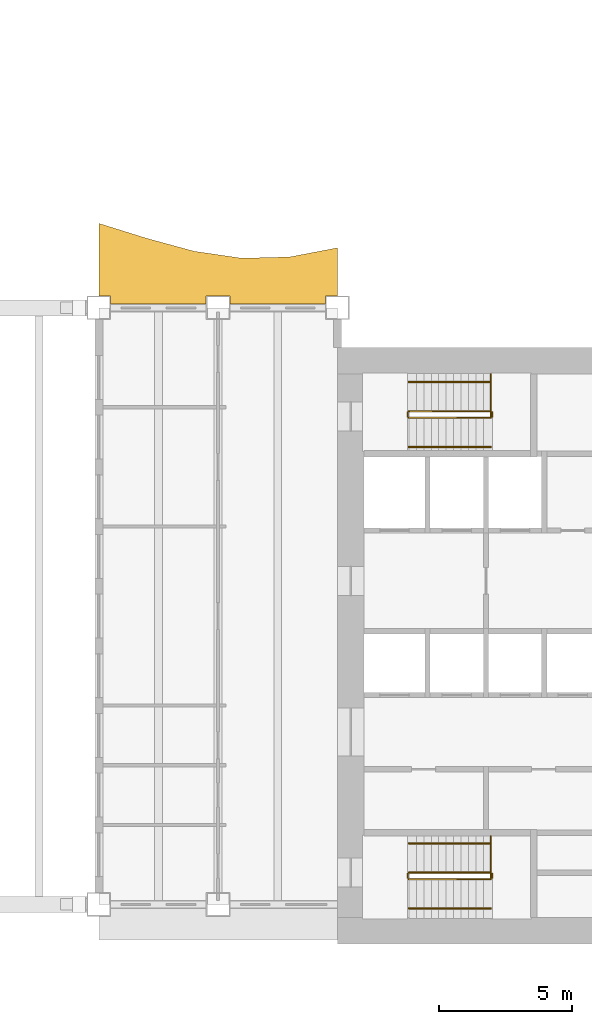
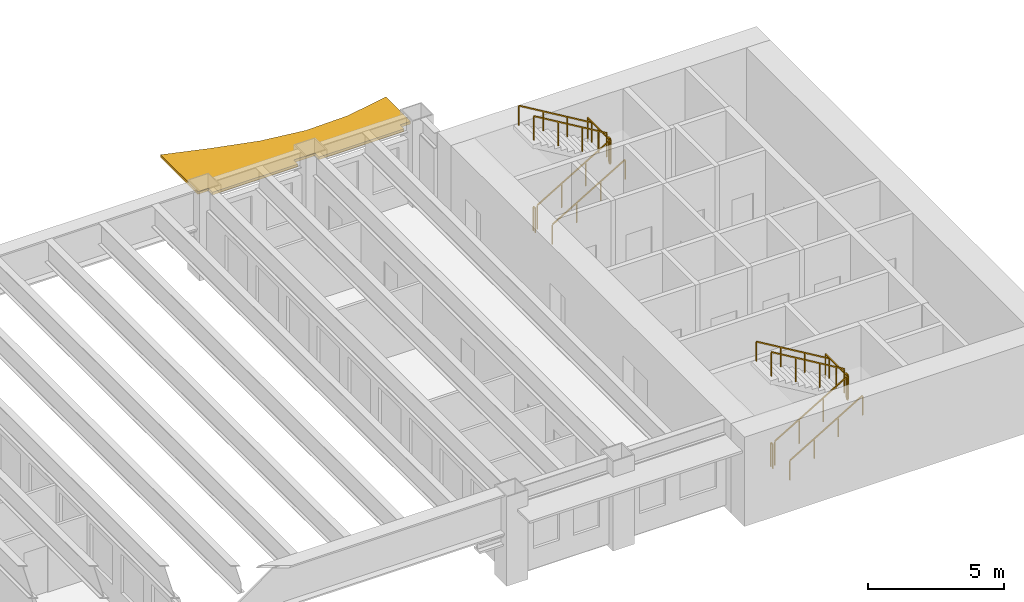
# One storey, part 12 of 13: 14 railings, 1 shading device.
"""IFC4 building model written with IfcOpenShell, lengths in metres."""

from ifc_helpers import new_model, si_unit, direction, frame, origin, origin_2d, place, context, subcontext, project, spatial, polyline, rectangle, outline, extrude, material, layer, layer_set, type_object, element, save


model = new_model("IFC4")

# Units and contexts
model_context = context("Model", 3, precision=1e-05, world=origin(), true_north=direction((0.0, 1.0)))
body_context = subcontext(model_context, "Body", "Model", "MODEL_VIEW")
ifc_project = project(units=[si_unit("LENGTHUNIT", "METRE"), si_unit("AREAUNIT", "SQUARE_METRE"), si_unit("VOLUMEUNIT", "CUBIC_METRE"), si_unit("PLANEANGLEUNIT", "RADIAN"), si_unit("MASSUNIT", "GRAM", prefix="KILO")], contexts=[model_context])

# Site, building, storey
site_placement = place(None, origin())
site = spatial("IfcSite", under=ifc_project, at=site_placement, CompositionType="ELEMENT")
building_placement = place(site_placement, origin())
building = spatial("IfcBuilding", under=site, at=building_placement, Name="Sennacour Bend Tower", CompositionType="ELEMENT")
storey_placement = place(building_placement, frame((0.0, 0.0, 147.0)))
storey = spatial("IfcBuildingStorey", under=building, at=storey_placement, Name="L33", CompositionType="ELEMENT", Elevation=147.0)

# Railings
ifc_material_1 = material(Name="Stainless steel", Category="steel")
railing_type_1 = type_object("IfcRailingType", Name="RL-GUARD-1100", PredefinedType="GUARDRAIL", material=ifc_material_1)
railing_1_placement = place(storey_placement, frame((56.699951171875, 2.449951171875, 0.166748046875)))
element("IfcRailing", 1, at=railing_1_placement, inside=storey, type_object=railing_type_1, Name="L33 SA1 stair guard 1", PredefinedType="GUARDRAIL", context=body_context, shape_type="SweptSolid", body=[
    extrude(rectangle(XDim=0.048095703125, YDim=0.048095703125, at=origin_2d()), frame((0.0, 0.0, 1.076171875), z_axis=(0.859308565015, 0.0, 0.511457515432), x_axis=(0.0, 1.0, 0.0)), (0.0, 0.0, 1.0), 3.58447265625),
    extrude(rectangle(XDim=0.0419921875, YDim=0.0419921875, at=origin_2d()), origin(), (0.0, 0.0, 1.0), 1.052001953125),
    extrude(rectangle(XDim=0.0419921875, YDim=0.0419921875, at=origin_2d()), frame((1.026611328125, 0.0, 0.611083984375)), (0.0, 0.0, 1.0), 1.052001953125),
    extrude(rectangle(XDim=0.0419921875, YDim=0.0419921875, at=origin_2d()), frame((2.053466796875, 0.0, 1.22216796875)), (0.0, 0.0, 1.0), 1.052001953125),
    extrude(rectangle(XDim=0.0419921875, YDim=0.0419921875, at=origin_2d()), frame((3.080078125, 0.0, 1.833251953125)), (0.0, 0.0, 1.0), 1.052001953125),
])
railing_2_placement = place(storey_placement, frame((59.830078125, 2.5, 2.0)))
element("IfcRailing", 2, at=railing_2_placement, inside=storey, type_object=railing_type_1, Name="L33 SA1 stair guard 2", PredefinedType="GUARDRAIL", context=body_context, shape_type="SweptSolid", body=[
    extrude(rectangle(XDim=0.048095703125, YDim=0.048095703125, at=origin_2d()), frame((0.0, 0.0, 1.076171875), z_axis=(0.0, 1.0, 0.0), x_axis=(-1.0, 0.0, 0.0)), (0.0, 0.0, 1.0), 0.14990234375),
    extrude(rectangle(XDim=0.0419921875, YDim=0.0419921875, at=origin_2d()), origin(), (0.0, 0.0, 1.0), 1.052001953125),
    extrude(rectangle(XDim=0.0419921875, YDim=0.0419921875, at=origin_2d()), frame((0.0, 0.14990234375, 0.0)), (0.0, 0.0, 1.0), 1.052001953125),
])
railing_3_placement = place(storey_placement, frame((59.780029296875, 2.699951171875, 2.166748046875)))
element("IfcRailing", 3, at=railing_3_placement, inside=storey, type_object=railing_type_1, Name="L33 SA1 stair guard 4", PredefinedType="GUARDRAIL", context=body_context, shape_type="SweptSolid", body=[
    extrude(rectangle(XDim=0.048095703125, YDim=0.048095703125, at=origin_2d()), frame((0.0, 0.0, 1.076171875), z_axis=(-0.859308565015, 0.0, 0.511457515432), x_axis=(0.0, -1.0, 0.0)), (0.0, 0.0, 1.0), 3.58447265625),
    extrude(rectangle(XDim=0.0419921875, YDim=0.0419921875, at=origin_2d()), origin(), (0.0, 0.0, 1.0), 1.052001953125),
    extrude(rectangle(XDim=0.0419921875, YDim=0.0419921875, at=origin_2d()), frame((-1.026611328125, 0.0, 0.611083984375)), (0.0, 0.0, 1.0), 1.052001953125),
    extrude(rectangle(XDim=0.0419921875, YDim=0.0419921875, at=origin_2d()), frame((-2.053466796875, 0.0, 1.22216796875)), (0.0, 0.0, 1.0), 1.052001953125),
    extrude(rectangle(XDim=0.0419921875, YDim=0.0419921875, at=origin_2d()), frame((-3.080078125, 0.0, 1.833251953125)), (0.0, 0.0, 1.0), 1.052001953125),
])
railing_4_placement = place(storey_placement, frame((56.64990234375, 2.5, 0.0)))
element("IfcRailing", 4, at=railing_4_placement, inside=storey, type_object=railing_type_1, Name="L33 SA1 stair guard 5", PredefinedType="GUARDRAIL", context=body_context, shape_type="SweptSolid", body=[
    extrude(rectangle(XDim=0.048095703125, YDim=0.048095703125, at=origin_2d()), frame((0.0, 0.0, 1.076171875), z_axis=(0.0, 1.0, 0.0), x_axis=(-1.0, 0.0, 0.0)), (0.0, 0.0, 1.0), 0.14990234375),
    extrude(rectangle(XDim=0.0419921875, YDim=0.0419921875, at=origin_2d()), origin(), (0.0, 0.0, 1.0), 1.052001953125),
    extrude(rectangle(XDim=0.0419921875, YDim=0.0419921875, at=origin_2d()), frame((0.0, 0.14990234375, 0.0)), (0.0, 0.0, 1.0), 1.052001953125),
])
railing_5_placement = place(storey_placement, frame((59.780029296875, 2.5, 2.0)))
element("IfcRailing", 5, at=railing_5_placement, inside=storey, type_object=railing_type_1, Name="L33 SA1 landing edge guard 53", PredefinedType="GUARDRAIL", context=body_context, shape_type="SweptSolid", body=[
    extrude(rectangle(XDim=0.048095703125, YDim=0.048095703125, at=origin_2d()), frame((0.0, 0.0, 1.076171875), z_axis=(0.0, 1.0, 0.0), x_axis=(-1.0, 0.0, 0.0)), (0.0, 0.0, 1.0), 1.574951171875),
    extrude(rectangle(XDim=0.0419921875, YDim=0.0419921875, at=origin_2d()), origin(), (0.0, 0.0, 1.0), 1.052001953125),
    extrude(rectangle(XDim=0.0419921875, YDim=0.0419921875, at=origin_2d()), frame((0.0, 0.78759765625, 0.0)), (0.0, 0.0, 1.0), 1.052001953125),
    extrude(rectangle(XDim=0.0419921875, YDim=0.0419921875, at=origin_2d()), frame((0.0, 1.574951171875, 0.0)), (0.0, 0.0, 1.0), 1.052001953125),
])
railing_6_placement = place(storey_placement, frame((56.699951171875, 19.85009765625, 0.166748046875)))
element("IfcRailing", 6, at=railing_6_placement, inside=storey, type_object=railing_type_1, Name="L33 SA2 stair guard 1", PredefinedType="GUARDRAIL", context=body_context, shape_type="SweptSolid", body=[
    extrude(rectangle(XDim=0.048095703125, YDim=0.048095703125, at=origin_2d()), frame((0.0, 0.0, 1.076171875), z_axis=(0.859308565015, 0.0, 0.511457515432), x_axis=(0.0, 1.0, 0.0)), (0.0, 0.0, 1.0), 3.58447265625),
    extrude(rectangle(XDim=0.0419921875, YDim=0.0419921875, at=origin_2d()), origin(), (0.0, 0.0, 1.0), 1.052001953125),
    extrude(rectangle(XDim=0.0419921875, YDim=0.0419921875, at=origin_2d()), frame((1.026611328125, 0.0, 0.611083984375)), (0.0, 0.0, 1.0), 1.052001953125),
    extrude(rectangle(XDim=0.0419921875, YDim=0.0419921875, at=origin_2d()), frame((2.053466796875, 0.0, 1.22216796875)), (0.0, 0.0, 1.0), 1.052001953125),
    extrude(rectangle(XDim=0.0419921875, YDim=0.0419921875, at=origin_2d()), frame((3.080078125, 0.0, 1.833251953125)), (0.0, 0.0, 1.0), 1.052001953125),
])
railing_7_placement = place(storey_placement, frame((59.830078125, 19.89990234375, 2.0)))
element("IfcRailing", 7, at=railing_7_placement, inside=storey, type_object=railing_type_1, Name="L33 SA2 stair guard 2", PredefinedType="GUARDRAIL", context=body_context, shape_type="SweptSolid", body=[
    extrude(rectangle(XDim=0.048095703125, YDim=0.048095703125, at=origin_2d()), frame((0.0, 0.0, 1.076171875), z_axis=(0.0, 1.0, 0.0), x_axis=(-1.0, 0.0, 0.0)), (0.0, 0.0, 1.0), 0.150146484375),
    extrude(rectangle(XDim=0.0419921875, YDim=0.0419921875, at=origin_2d()), origin(), (0.0, 0.0, 1.0), 1.052001953125),
    extrude(rectangle(XDim=0.0419921875, YDim=0.0419921875, at=origin_2d()), frame((0.0, 0.150146484375, 0.0)), (0.0, 0.0, 1.0), 1.052001953125),
])
railing_8_placement = place(storey_placement, frame((59.780029296875, 20.10009765625, 2.166748046875)))
element("IfcRailing", 8, at=railing_8_placement, inside=storey, type_object=railing_type_1, Name="L33 SA2 stair guard 4", PredefinedType="GUARDRAIL", context=body_context, shape_type="SweptSolid", body=[
    extrude(rectangle(XDim=0.048095703125, YDim=0.048095703125, at=origin_2d()), frame((0.0, 0.0, 1.076171875), z_axis=(-0.859308565015, 0.0, 0.511457515432), x_axis=(0.0, -1.0, 0.0)), (0.0, 0.0, 1.0), 3.58447265625),
    extrude(rectangle(XDim=0.0419921875, YDim=0.0419921875, at=origin_2d()), origin(), (0.0, 0.0, 1.0), 1.052001953125),
    extrude(rectangle(XDim=0.0419921875, YDim=0.0419921875, at=origin_2d()), frame((-1.026611328125, 0.0, 0.611083984375)), (0.0, 0.0, 1.0), 1.052001953125),
    extrude(rectangle(XDim=0.0419921875, YDim=0.0419921875, at=origin_2d()), frame((-2.053466796875, 0.0, 1.22216796875)), (0.0, 0.0, 1.0), 1.052001953125),
    extrude(rectangle(XDim=0.0419921875, YDim=0.0419921875, at=origin_2d()), frame((-3.080078125, 0.0, 1.833251953125)), (0.0, 0.0, 1.0), 1.052001953125),
])
railing_9_placement = place(storey_placement, frame((56.64990234375, 19.89990234375, 0.0)))
element("IfcRailing", 9, at=railing_9_placement, inside=storey, type_object=railing_type_1, Name="L33 SA2 stair guard 5", PredefinedType="GUARDRAIL", context=body_context, shape_type="SweptSolid", body=[
    extrude(rectangle(XDim=0.048095703125, YDim=0.048095703125, at=origin_2d()), frame((0.0, 0.0, 1.076171875), z_axis=(0.0, 1.0, 0.0), x_axis=(-1.0, 0.0, 0.0)), (0.0, 0.0, 1.0), 0.150146484375),
    extrude(rectangle(XDim=0.0419921875, YDim=0.0419921875, at=origin_2d()), origin(), (0.0, 0.0, 1.0), 1.052001953125),
    extrude(rectangle(XDim=0.0419921875, YDim=0.0419921875, at=origin_2d()), frame((0.0, 0.150146484375, 0.0)), (0.0, 0.0, 1.0), 1.052001953125),
])
railing_10_placement = place(storey_placement, frame((59.780029296875, 19.89990234375, 2.0)))
element("IfcRailing", 10, at=railing_10_placement, inside=storey, type_object=railing_type_1, Name="L33 SA2 landing edge guard 48", PredefinedType="GUARDRAIL", context=body_context, shape_type="SweptSolid", body=[
    extrude(rectangle(XDim=0.048095703125, YDim=0.048095703125, at=origin_2d()), frame((0.0, 0.0, 1.076171875), z_axis=(0.0, 1.0, 0.0), x_axis=(-1.0, 0.0, 0.0)), (0.0, 0.0, 1.0), 1.60009765625),
    extrude(rectangle(XDim=0.0419921875, YDim=0.0419921875, at=origin_2d()), origin(), (0.0, 0.0, 1.0), 1.052001953125),
    extrude(rectangle(XDim=0.0419921875, YDim=0.0419921875, at=origin_2d()), frame((0.0, 0.800048828125, 0.0)), (0.0, 0.0, 1.0), 1.052001953125),
    extrude(rectangle(XDim=0.0419921875, YDim=0.0419921875, at=origin_2d()), frame((0.0, 1.60009765625, 0.0)), (0.0, 0.0, 1.0), 1.052001953125),
])
railing_type_2 = type_object("IfcRailingType", Name="RL-HANDRAIL-900", PredefinedType="HANDRAIL", material=ifc_material_1)
railing_11_placement = place(storey_placement, frame((56.699951171875, 1.35009765625, 0.166748046875)))
element("IfcRailing", 11, at=railing_11_placement, inside=storey, type_object=railing_type_2, Name="L33 SA1 stair handrail 1", PredefinedType="HANDRAIL", context=body_context, shape_type="SweptSolid", body=[
    extrude(rectangle(XDim=0.048095703125, YDim=0.048095703125, at=origin_2d()), frame((0.0, 0.0, 0.8759765625), z_axis=(0.859308565015, 0.0, 0.511457515432), x_axis=(0.0, 1.0, 0.0)), (0.0, 0.0, 1.0), 3.58447265625),
    extrude(rectangle(XDim=0.0419921875, YDim=0.0419921875, at=origin_2d()), origin(), (0.0, 0.0, 1.0), 0.851806640625),
    extrude(rectangle(XDim=0.0419921875, YDim=0.0419921875, at=origin_2d()), frame((1.026611328125, 0.0, 0.611083984375)), (0.0, 0.0, 1.0), 0.851806640625),
    extrude(rectangle(XDim=0.0419921875, YDim=0.0419921875, at=origin_2d()), frame((2.053466796875, 0.0, 1.22216796875)), (0.0, 0.0, 1.0), 0.851806640625),
    extrude(rectangle(XDim=0.0419921875, YDim=0.0419921875, at=origin_2d()), frame((3.080078125, 0.0, 1.833251953125)), (0.0, 0.0, 1.0), 0.851806640625),
])
railing_12_placement = place(storey_placement, frame((59.780029296875, 3.800048828125, 2.166748046875)))
element("IfcRailing", 12, at=railing_12_placement, inside=storey, type_object=railing_type_2, Name="L33 SA1 stair handrail 2", PredefinedType="HANDRAIL", context=body_context, shape_type="SweptSolid", body=[
    extrude(rectangle(XDim=0.048095703125, YDim=0.048095703125, at=origin_2d()), frame((0.0, 0.0, 0.8759765625), z_axis=(-0.859308565015, 0.0, 0.511457515432), x_axis=(0.0, -1.0, 0.0)), (0.0, 0.0, 1.0), 3.58447265625),
    extrude(rectangle(XDim=0.0419921875, YDim=0.0419921875, at=origin_2d()), origin(), (0.0, 0.0, 1.0), 0.851806640625),
    extrude(rectangle(XDim=0.0419921875, YDim=0.0419921875, at=origin_2d()), frame((-1.026611328125, 0.0, 0.611083984375)), (0.0, 0.0, 1.0), 0.851806640625),
    extrude(rectangle(XDim=0.0419921875, YDim=0.0419921875, at=origin_2d()), frame((-2.053466796875, 0.0, 1.22216796875)), (0.0, 0.0, 1.0), 0.851806640625),
    extrude(rectangle(XDim=0.0419921875, YDim=0.0419921875, at=origin_2d()), frame((-3.080078125, 0.0, 1.833251953125)), (0.0, 0.0, 1.0), 0.851806640625),
])
railing_13_placement = place(storey_placement, frame((56.699951171875, 18.75, 0.166748046875)))
element("IfcRailing", 13, at=railing_13_placement, inside=storey, type_object=railing_type_2, Name="L33 SA2 stair handrail 1", PredefinedType="HANDRAIL", context=body_context, shape_type="SweptSolid", body=[
    extrude(rectangle(XDim=0.048095703125, YDim=0.048095703125, at=origin_2d()), frame((0.0, 0.0, 0.8759765625), z_axis=(0.859308565015, 0.0, 0.511457515432), x_axis=(0.0, 1.0, 0.0)), (0.0, 0.0, 1.0), 3.58447265625),
    extrude(rectangle(XDim=0.0419921875, YDim=0.0419921875, at=origin_2d()), origin(), (0.0, 0.0, 1.0), 0.851806640625),
    extrude(rectangle(XDim=0.0419921875, YDim=0.0419921875, at=origin_2d()), frame((1.026611328125, 0.0, 0.611083984375)), (0.0, 0.0, 1.0), 0.851806640625),
    extrude(rectangle(XDim=0.0419921875, YDim=0.0419921875, at=origin_2d()), frame((2.053466796875, 0.0, 1.22216796875)), (0.0, 0.0, 1.0), 0.851806640625),
    extrude(rectangle(XDim=0.0419921875, YDim=0.0419921875, at=origin_2d()), frame((3.080078125, 0.0, 1.833251953125)), (0.0, 0.0, 1.0), 0.851806640625),
])
railing_14_placement = place(storey_placement, frame((59.780029296875, 21.199951171875, 2.166748046875)))
element("IfcRailing", 14, at=railing_14_placement, inside=storey, type_object=railing_type_2, Name="L33 SA2 stair handrail 2", PredefinedType="HANDRAIL", context=body_context, shape_type="SweptSolid", body=[
    extrude(rectangle(XDim=0.048095703125, YDim=0.048095703125, at=origin_2d()), frame((0.0, 0.0, 0.8759765625), z_axis=(-0.859308565015, 0.0, 0.511457515432), x_axis=(0.0, -1.0, 0.0)), (0.0, 0.0, 1.0), 3.58447265625),
    extrude(rectangle(XDim=0.0419921875, YDim=0.0419921875, at=origin_2d()), origin(), (0.0, 0.0, 1.0), 0.851806640625),
    extrude(rectangle(XDim=0.0419921875, YDim=0.0419921875, at=origin_2d()), frame((-1.026611328125, 0.0, 0.611083984375)), (0.0, 0.0, 1.0), 0.851806640625),
    extrude(rectangle(XDim=0.0419921875, YDim=0.0419921875, at=origin_2d()), frame((-2.053466796875, 0.0, 1.22216796875)), (0.0, 0.0, 1.0), 0.851806640625),
    extrude(rectangle(XDim=0.0419921875, YDim=0.0419921875, at=origin_2d()), frame((-3.080078125, 0.0, 1.833251953125)), (0.0, 0.0, 1.0), 0.851806640625),
])

# Shading device
ifc_material_2 = material(Name="Bronze anodised aluminium", Category="aluminium")
ifc_layer = layer(ifc_material_2, 0.1201171875, Name="Bronze anodised aluminium", Category="aluminium")
ifc_layer_set = layer_set([ifc_layer], Name="Bronze anodised aluminium")
shading_device_type = type_object("IfcShadingDeviceType", Name="SUNSHADE BAND WAVE", PredefinedType="USERDEFINED", material=ifc_layer_set)
shading_device_placement = place(storey_placement, frame((0.0, 0.0, 3.029052734375)))
element("IfcShadingDevice", 15, at=shading_device_placement, inside=storey, type_object=shading_device_type, Name="Sunshade band L33 concave faces", ObjectType="SUNSHADE", PredefinedType="USERDEFINED", context=body_context, shape_type="SweptSolid", body=[
    extrude(outline(polyline([(53.550048828125, 24.14990234375), (49.949951171875, 24.14990234375), (49.949951171875, 24.449951171875), (49.050048828125, 24.449951171875), (49.050048828125, 24.14990234375), (45.449951171875, 24.14990234375), (45.449951171875, 24.449951171875), (45.0, 24.449951171875), (45.0, 27.18603515625), (46.800048828125, 26.62353515625), (48.60009765625, 26.1328125), (50.39990234375, 25.869873046875), (52.199951171875, 25.918212890625), (54.0, 26.26220703125), (54.0, 24.449951171875), (53.550048828125, 24.449951171875), (53.550048828125, 24.14990234375)])), origin(), (0.0, 0.0, 1.0), 0.119873046875),
])

save(model, "model.ifc")
